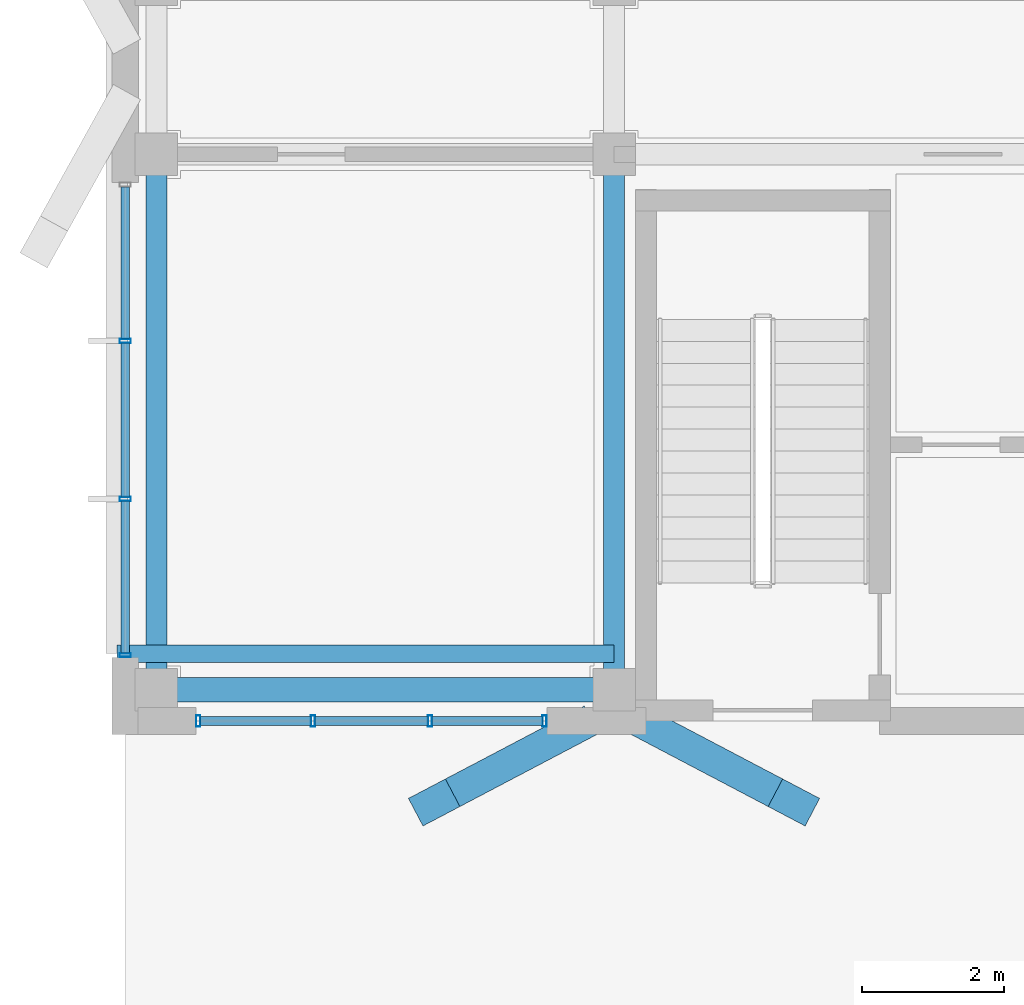
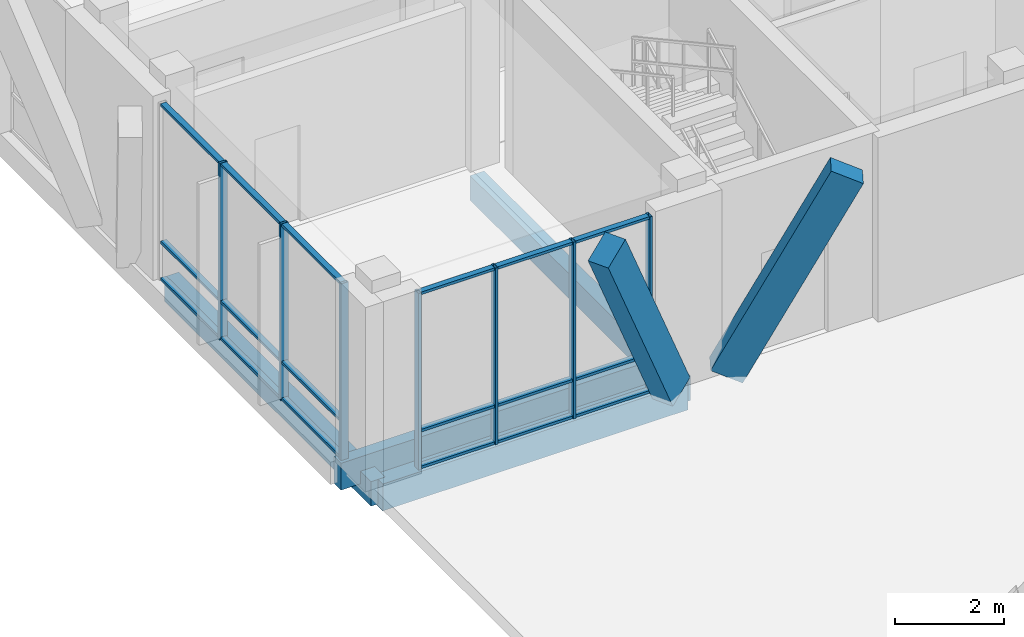
# One storey, part 95 of 233: 27 members, 4 beams, 2 elements without a shape of their own.
"""IFC4 building model written with IfcOpenShell, lengths in metres."""

import ifcopenshell
import ifcopenshell.guid

model = None  # the IFC model being written
_history = None  # IfcOwnerHistory: only IFC2X3 demands one
_inside = {}  # id of a spatial element -> (the spatial element, [elements in it])
_under = {}  # id of a project, library or spatial element -> (it, [spatial elements below it])
_declared = {}  # id of a project -> (the project, [libraries it declares])
_typed = {}  # id of a type object -> (the type object, [elements of that type])
_made_of = {}  # id of a material, layer set ... -> (it, [elements and type objects made of it])


def new_model(schema):
    """Start an empty IFC model of exactly this schema.

    Asked for "IFC4X3", IfcOpenShell would pick the latest addendum, in which some entities
    have other attributes; the version numbers below select the first issue.
    IFC2X3 requires an IfcOwnerHistory on every rooted entity: one is made here for all.
    """
    global model, _history
    if schema == "IFC4X3":
        model = ifcopenshell.file(schema_version=(4, 3, 0, 0))
    else:
        model = ifcopenshell.file(schema=schema)
    _inside.clear()
    _under.clear()
    _declared.clear()
    _typed.clear()
    _made_of.clear()
    _history = None
    if model.schema == "IFC2X3":
        org = make("IfcOrganization", Name="unknown")
        user = make(
            "IfcPersonAndOrganization",
            ThePerson=make("IfcPerson", FamilyName="unknown"),
            TheOrganization=org,
        )
        app = make(
            "IfcApplication",
            ApplicationDeveloper=org,
            Version="unknown",
            ApplicationFullName="unknown",
            ApplicationIdentifier="unknown",
        )
        _history = make(
            "IfcOwnerHistory",
            OwningUser=user,
            OwningApplication=app,
            ChangeAction="ADDED",
            CreationDate=0,
        )
    return model


def make(cls, **values):
    """One entity of the class cls with the attributes given. An attribute that is None is left unset."""
    return model.create_entity(
        cls, **{name: value for name, value in values.items() if value is not None}
    )


def rooted(cls, **values):
    """An entity with a GlobalId (a new one), such as an element, a storey or a relation."""
    return make(cls, GlobalId=ifcopenshell.guid.new(), OwnerHistory=_history, **values)


def si_unit(unit_type, name, prefix=None):
    """IfcSIUnit, for example si_unit("LENGTHUNIT", "METRE", prefix="MILLI")."""
    return make("IfcSIUnit", UnitType=unit_type, Prefix=prefix, Name=name)


def assignment(units):
    """IfcUnitAssignment: the units of a project."""
    return None if units is None else make("IfcUnitAssignment", Units=units)


def point(xyz):
    """IfcCartesianPoint."""
    return None if xyz is None else make("IfcCartesianPoint", Coordinates=xyz)


def direction(xyz):
    """IfcDirection."""
    return None if xyz is None else make("IfcDirection", DirectionRatios=xyz)


def frame(location, z_axis=None, x_axis=None):
    """IfcAxis2Placement3D, a coordinate frame: its origin and axes. An axis left out is left unset."""
    return make(
        "IfcAxis2Placement3D",
        Location=point(location),
        Axis=direction(z_axis),
        RefDirection=direction(x_axis),
    )


def frame_2d(location, x_axis=None):
    """IfcAxis2Placement2D, a coordinate frame in the plane: its origin and x axis."""
    return make(
        "IfcAxis2Placement2D", Location=point(location), RefDirection=direction(x_axis)
    )


def origin():
    """The frame at (0, 0, 0) with its axes left unset."""
    return frame((0.0, 0.0, 0.0))


def origin_2d():
    """The frame at (0, 0) in the plane with its x axis left unset."""
    return frame_2d((0.0, 0.0))


def place(relative_to, where):
    """IfcLocalPlacement: puts the frame where relative to a parent placement (None: the world)."""
    return make(
        "IfcLocalPlacement", PlacementRelTo=relative_to, RelativePlacement=where
    )


def context(
    kind, dimensions, precision=None, world=None, true_north=None, identifier=None
):
    """IfcGeometricRepresentationContext, for example the 3D "Model" context."""
    return make(
        "IfcGeometricRepresentationContext",
        ContextIdentifier=identifier,
        ContextType=kind,
        CoordinateSpaceDimension=dimensions,
        Precision=precision,
        WorldCoordinateSystem=world,
        TrueNorth=true_north,
    )


def subcontext(parent, identifier, kind, view, scale=None):
    """IfcGeometricRepresentationSubContext, for example "Body" below "Model"."""
    return make(
        "IfcGeometricRepresentationSubContext",
        ContextIdentifier=identifier,
        ContextType=kind,
        ParentContext=parent,
        TargetScale=scale,
        TargetView=view,
    )


def project(units=None, contexts=None):
    """IfcProject with its units and contexts."""
    return rooted(
        "IfcProject",
        Name="project",
        RepresentationContexts=contexts,
        UnitsInContext=assignment(units),
    )


def spatial(cls, under=None, at=None, **own):
    """A site, building, storey or space (cls), placed at a placement, below another one or the project."""
    s = rooted(cls, ObjectPlacement=at, **own)
    if under is not None:
        _under.setdefault(under.id(), (under, []))[1].append(s)
    return s


def profile(cls, at=None, kind="AREA", **sizes):
    """A parametric profile (cls). Its sizes go by their IFC names, for example OverallWidth=200.0."""
    return make(cls, ProfileType=kind, Position=at, **sizes)


def rectangle(**sizes):
    """IfcRectangleProfileDef."""
    return profile("IfcRectangleProfileDef", **sizes)


def hollow_rectangle(**sizes):
    """IfcRectangleHollowProfileDef."""
    return profile("IfcRectangleHollowProfileDef", **sizes)


def extrude(swept, where, along, depth):
    """IfcExtrudedAreaSolid: the profile swept, set in the frame where, extruded along a direction by depth."""
    return make(
        "IfcExtrudedAreaSolid",
        SweptArea=swept,
        Position=where,
        ExtrudedDirection=direction(along),
        Depth=depth,
    )


def shape(context_of_items, identifier, shape_type, items):
    """IfcShapeRepresentation: the items that make up one representation, for example the "Body"."""
    return make(
        "IfcShapeRepresentation",
        ContextOfItems=context_of_items,
        RepresentationIdentifier=identifier,
        RepresentationType=shape_type,
        Items=items,
    )


def material(Name=None, Category=None):
    """IfcMaterial."""
    return make("IfcMaterial", Name=Name, Category=Category)


def material_profile(
    of_material, cross_section, Name=None, Category=None, Priority=None
):
    """IfcMaterialProfile: a cross section and its material."""
    return make(
        "IfcMaterialProfile",
        Name=Name,
        Material=of_material,
        Profile=cross_section,
        Priority=Priority,
        Category=Category,
    )


def profile_set(profiles, Name=None, composite=None):
    """IfcMaterialProfileSet."""
    return make(
        "IfcMaterialProfileSet",
        Name=Name,
        MaterialProfiles=profiles,
        CompositeProfile=composite,
    )


def made_of(thing, what):
    """Note that an element or type object is made of a material, layer set ...; save() writes the relation."""
    if what is not None:
        _made_of.setdefault(what.id(), (what, []))[1].append(thing)
    return thing


def type_object(cls, material=None, **own):
    """A type object (cls), such as IfcWallType, which elements share."""
    return made_of(rooted(cls, **own), material)


def element(
    cls,
    number,
    at=None,
    inside=None,
    cuts=None,
    type_object=None,
    material=None,
    context=None,
    identifier="Body",
    shape_type=None,
    held_by="IfcProductDefinitionShape",
    body=None,
    shapes=None,
    **own,
):
    """One element of the class cls, such as IfcWall. Its Tag is "e" and its number.

    at: its placement. inside: the storey or other place that contains it. cuts: it is an
    opening in that element (IfcRelVoidsElement). A single representation is given by context,
    identifier, shape_type and body (its items); several are given by shapes. held_by: the class
    of the entity that holds the representations. save() writes the other relations.
    """
    e = rooted(cls, Tag="e%d" % number, ObjectPlacement=at, **own)
    if body is not None:
        shapes = [shape(context, identifier, shape_type, body)]
    if shapes is not None:
        e.Representation = make(held_by, Representations=shapes)
    if inside is not None:
        _inside.setdefault(inside.id(), (inside, []))[1].append(e)
    if cuts is not None:
        rooted(
            "IfcRelVoidsElement", RelatingBuildingElement=cuts, RelatedOpeningElement=e
        )
    if type_object is not None:
        _typed.setdefault(type_object.id(), (type_object, []))[1].append(e)
    return made_of(e, material)


def aggregate(whole, parts):
    """IfcRelAggregates: a whole, such as a stair, and the parts it consists of."""
    return rooted("IfcRelAggregates", RelatingObject=whole, RelatedObjects=parts)


def save(model, path):
    """Write the relations noted so far, then the file.

    IfcRelAggregates (storeys below a building ...), IfcRelContainedInSpatialStructure (elements
    in a storey), IfcRelDefinesByType, IfcRelAssociatesMaterial and IfcRelDeclares: one each for
    every whole, place, type object, material and project.
    """
    for whole, parts in _under.values():
        aggregate(whole, parts)
    for where, things in _inside.values():
        rooted(
            "IfcRelContainedInSpatialStructure",
            RelatedElements=things,
            RelatingStructure=where,
        )
    for kind, things in _typed.values():
        rooted("IfcRelDefinesByType", RelatedObjects=things, RelatingType=kind)
    for what, things in _made_of.values():
        rooted("IfcRelAssociatesMaterial", RelatedObjects=things, RelatingMaterial=what)
    for by, libraries in _declared.values():
        rooted("IfcRelDeclares", RelatingContext=by, RelatedDefinitions=libraries)
    model.write(path)


model = new_model("IFC4")

# Units and contexts
model_context = context("Model", 3, precision=1e-05, world=origin(), true_north=direction((0.0, 1.0)))
body_context = subcontext(model_context, "Body", "Model", "MODEL_VIEW")
ifc_project = project(units=[si_unit("LENGTHUNIT", "METRE"), si_unit("AREAUNIT", "SQUARE_METRE"), si_unit("VOLUMEUNIT", "CUBIC_METRE"), si_unit("PLANEANGLEUNIT", "RADIAN"), si_unit("MASSUNIT", "GRAM", prefix="KILO")], contexts=[model_context])

# Site, building, storey
site_placement = place(None, origin())
site = spatial("IfcSite", under=ifc_project, at=site_placement, CompositionType="ELEMENT")
building_placement = place(site_placement, origin())
building = spatial("IfcBuilding", under=site, at=building_placement, Name="Zavelmont Quarter", CompositionType="ELEMENT")
storey_placement = place(building_placement, origin())
storey = spatial("IfcBuildingStorey", under=building, at=storey_placement, Name="L00", CompositionType="ELEMENT", Elevation=0.0)

# Beams
ifc_material_1 = material(Name="Concrete C35/45", Category="concrete")
ifc_material_profile_1 = material_profile(ifc_material_1, rectangle(XDim=0.35009765625, YDim=0.60009765625, at=origin_2d()), Name="RC350X600")
ifc_profile_set_1 = profile_set([ifc_material_profile_1], Name="Concrete C35/45")
beam_type_1 = type_object("IfcBeamType", Name="BM01", PredefinedType="SPANDREL", material=ifc_profile_set_1)
beam_1_placement = place(storey_placement, frame((0.43994140625, 98.0400390625, -0.6201171875), z_axis=(1.0, 0.0, 0.0), x_axis=(0.0, 1.0, 0.0)))
element("IfcBeam", 1, at=beam_1_placement, inside=storey, type_object=beam_type_1, Name="L00 beam BM01 1/P to 2/P", PredefinedType="SPANDREL", context=body_context, shape_type="SweptSolid", body=[
    extrude(rectangle(XDim=0.35009765625, YDim=0.60009765625, at=origin_2d()), origin(), (0.0, 0.0, 1.0), 6.4599609375),
])
ifc_material_profile_2 = material_profile(ifc_material_1, rectangle(XDim=0.300048828125, YDim=0.550048828125, at=origin_2d()), Name="RC300X550")
ifc_profile_set_2 = profile_set([ifc_material_profile_2], Name="Concrete C35/45")
beam_type_2 = type_object("IfcBeamType", Name="BM02", PredefinedType="SPANDREL", material=ifc_profile_set_2)
for number, where, z_axis, x_axis, name in (
    (2, (0.43994140625, 98.0400390625, -0.594970703125), (0.0, 1.0, 0.0), (-1.0, 0.0, 0.0), "L00 beam BM02 1/P to 1/Q"),
    (3, (6.89990234375, 98.0400390625, -0.594970703125), (0.0, 1.0, 0.0), (-1.0, 0.0, 0.0), "L00 beam BM02 2/P to 2/Q"),
):
    element("IfcBeam", number, at=place(storey_placement, frame(where, z_axis=z_axis, x_axis=x_axis)), inside=storey, type_object=beam_type_2, Name=name, PredefinedType="SPANDREL", context=body_context, shape_type="SweptSolid", body=[
        extrude(rectangle(XDim=0.300048828125, YDim=0.550048828125, at=origin_2d()), origin(), (0.0, 0.0, 1.0), 7.56005859375),
    ])
ifc_material_2 = material(Name="Concrete C40/50", Category="concrete")
ifc_material_profile_3 = material_profile(ifc_material_2, rectangle(XDim=0.25, YDim=0.60009765625, at=origin_2d()), Name="RC250X600")
ifc_profile_set_3 = profile_set([ifc_material_profile_3], Name="Concrete C40/50")
beam_type_3 = type_object("IfcBeamType", Name="BM18", PredefinedType="BEAM", material=ifc_profile_set_3)
beam_2_placement = place(storey_placement, frame((6.89990234375, 98.550048828125, -0.300048828125), z_axis=(-1.0, 0.0, 0.0), x_axis=(0.0, -1.0, 0.0)))
element("IfcBeam", 4, at=beam_2_placement, inside=storey, type_object=beam_type_3, Name="L00 beam BM18 2/P to 1/P", PredefinedType="BEAM", context=body_context, shape_type="SweptSolid", body=[
    extrude(rectangle(XDim=0.25, YDim=0.60009765625, at=origin_2d()), origin(), (0.0, 0.0, 1.0), 7.02001953125),
])

# Curtain wall, members
ifc_material_3 = material(Name="Thermally broken aluminium and double low-E safety glazing", Category="aluminium")
curtain_wall_type_1 = type_object("IfcCurtainWallType", Name="CW-495X395", PredefinedType="NOTDEFINED", material=ifc_material_3)
curtain_wall_1_placement = place(storey_placement, origin())
curtain_wall_1 = element("IfcCurtainWall", 5, at=curtain_wall_1_placement, inside=storey, type_object=curtain_wall_type_1, Name="L00 unitised curtain wall CW-495X395", PredefinedType="NOTDEFINED")
ifc_material_4 = material(Name="Powder-coated aluminium EN AW-6063-T6", Category="aluminium")
ifc_material_profile_4 = material_profile(ifc_material_4, hollow_rectangle(XDim=0.06005859375, YDim=0.159912109375, WallThickness=0.00390625, at=origin_2d()), Name="CWM60X160")
ifc_profile_set_4 = profile_set([ifc_material_profile_4], Name="Powder-coated aluminium EN AW-6063-T6")
member_type_1 = type_object("IfcMemberType", Name="CWM01", PredefinedType="MULLION", material=ifc_profile_set_4)
member_1_placement = place(storey_placement, frame((1.030029296875, 97.60009765625, 0.0), z_axis=(0.0, 0.0, 1.0), x_axis=(1.0, 0.0, 0.0)))
member_1 = element("IfcMember", 6, at=member_1_placement, type_object=member_type_1, Name="CW-495X395 mullion 1", PredefinedType="MULLION", context=body_context, shape_type="SweptSolid", body=[
    extrude(hollow_rectangle(XDim=0.06005859375, YDim=0.159912109375, WallThickness=0.00390625, at=origin_2d()), origin(), (0.0, 0.0, 1.0), 3.949951171875),
])
member_2_placement = place(storey_placement, frame((2.64990234375, 97.60009765625, 0.0), z_axis=(0.0, 0.0, 1.0), x_axis=(1.0, 0.0, 0.0)))
member_2 = element("IfcMember", 7, at=member_2_placement, type_object=member_type_1, Name="CW-495X395 mullion 2", PredefinedType="MULLION", context=body_context, shape_type="SweptSolid", body=[
    extrude(hollow_rectangle(XDim=0.06005859375, YDim=0.159912109375, WallThickness=0.00390625, at=origin_2d()), origin(), (0.0, 0.0, 1.0), 3.949951171875),
])
member_3_placement = place(storey_placement, frame((4.300048828125, 97.60009765625, 0.0), z_axis=(0.0, 0.0, 1.0), x_axis=(1.0, 0.0, 0.0)))
member_3 = element("IfcMember", 8, at=member_3_placement, type_object=member_type_1, Name="CW-495X395 mullion 3", PredefinedType="MULLION", context=body_context, shape_type="SweptSolid", body=[
    extrude(hollow_rectangle(XDim=0.06005859375, YDim=0.159912109375, WallThickness=0.00390625, at=origin_2d()), origin(), (0.0, 0.0, 1.0), 3.949951171875),
])
member_4_placement = place(storey_placement, frame((5.919921875, 97.60009765625, 0.0), z_axis=(0.0, 0.0, 1.0), x_axis=(1.0, 0.0, 0.0)))
member_4 = element("IfcMember", 9, at=member_4_placement, type_object=member_type_1, Name="CW-495X395 mullion 4", PredefinedType="MULLION", context=body_context, shape_type="SweptSolid", body=[
    extrude(hollow_rectangle(XDim=0.06005859375, YDim=0.159912109375, WallThickness=0.00390625, at=origin_2d()), origin(), (0.0, 0.0, 1.0), 3.949951171875),
])

curtain_wall_type_2 = type_object("IfcCurtainWallType", Name="CW-670X395", PredefinedType="NOTDEFINED", material=ifc_material_3)
curtain_wall_2_placement = place(storey_placement, origin())
curtain_wall_2 = element("IfcCurtainWall", 10, at=curtain_wall_2_placement, inside=storey, type_object=curtain_wall_type_2, Name="L00 unitised curtain wall CW-670X395", PredefinedType="NOTDEFINED")
member_5_placement = place(storey_placement, frame((0.0, 98.530029296875, 0.0), z_axis=(0.0, 0.0, 1.0), x_axis=(0.0, 1.0, 0.0)))
member_5 = element("IfcMember", 11, at=member_5_placement, type_object=member_type_1, Name="CW-670X395 mullion 1", PredefinedType="MULLION", context=body_context, shape_type="SweptSolid", body=[
    extrude(hollow_rectangle(XDim=0.06005859375, YDim=0.159912109375, WallThickness=0.00390625, at=origin_2d()), origin(), (0.0, 0.0, 1.0), 3.949951171875),
])
member_6_placement = place(storey_placement, frame((0.0, 100.7333984375, 0.0), z_axis=(0.0, 0.0, 1.0), x_axis=(0.0, 1.0, 0.0)))
member_6 = element("IfcMember", 12, at=member_6_placement, type_object=member_type_1, Name="CW-670X395 mullion 2", PredefinedType="MULLION", context=body_context, shape_type="SweptSolid", body=[
    extrude(hollow_rectangle(XDim=0.06005859375, YDim=0.159912109375, WallThickness=0.00390625, at=origin_2d()), origin(), (0.0, 0.0, 1.0), 3.949951171875),
])
member_7_placement = place(storey_placement, frame((0.0, 102.966552734375, 0.0), z_axis=(0.0, 0.0, 1.0), x_axis=(0.0, 1.0, 0.0)))
member_7 = element("IfcMember", 13, at=member_7_placement, type_object=member_type_1, Name="CW-670X395 mullion 3", PredefinedType="MULLION", context=body_context, shape_type="SweptSolid", body=[
    extrude(hollow_rectangle(XDim=0.06005859375, YDim=0.159912109375, WallThickness=0.00390625, at=origin_2d()), origin(), (0.0, 0.0, 1.0), 3.949951171875),
])

# Member
ifc_material_profile_5 = material_profile(ifc_material_4, hollow_rectangle(XDim=0.1201171875, YDim=0.06005859375, WallThickness=0.00390625, at=origin_2d()), Name="CWT60X120")
ifc_profile_set_5 = profile_set([ifc_material_profile_5], Name="Powder-coated aluminium EN AW-6063-T6")
member_type_2 = type_object("IfcMemberType", Name="CWT01", PredefinedType="NOTDEFINED", material=ifc_profile_set_5)
member_8_placement = place(storey_placement, frame((1.06005859375, 97.60009765625, 0.030029296875), z_axis=(1.0, 0.0, 0.0), x_axis=(0.0, 1.0, 0.0)))
member_8 = element("IfcMember", 14, at=member_8_placement, type_object=member_type_2, Name="CW-495X395 transom 1.1", ObjectType="TRANSOM", PredefinedType="USERDEFINED", context=body_context, shape_type="SweptSolid", body=[
    extrude(hollow_rectangle(XDim=0.1201171875, YDim=0.06005859375, WallThickness=0.00390625, at=origin_2d()), origin(), (0.0, 0.0, 1.0), 1.56005859375),
])

member_9_placement = place(storey_placement, frame((1.06005859375, 97.60009765625, 0.85009765625), z_axis=(1.0, 0.0, 0.0), x_axis=(0.0, 1.0, 0.0)))
member_9 = element("IfcMember", 15, at=member_9_placement, type_object=member_type_2, Name="CW-495X395 transom 1.2", ObjectType="TRANSOM", PredefinedType="USERDEFINED", context=body_context, shape_type="SweptSolid", body=[
    extrude(hollow_rectangle(XDim=0.1201171875, YDim=0.06005859375, WallThickness=0.00390625, at=origin_2d()), origin(), (0.0, 0.0, 1.0), 1.56005859375),
])

member_10_placement = place(storey_placement, frame((1.06005859375, 97.60009765625, 3.919921875), z_axis=(1.0, 0.0, 0.0), x_axis=(0.0, 1.0, 0.0)))
member_10 = element("IfcMember", 16, at=member_10_placement, type_object=member_type_2, Name="CW-495X395 transom 1.3", ObjectType="TRANSOM", PredefinedType="USERDEFINED", context=body_context, shape_type="SweptSolid", body=[
    extrude(hollow_rectangle(XDim=0.1201171875, YDim=0.06005859375, WallThickness=0.00390625, at=origin_2d()), origin(), (0.0, 0.0, 1.0), 1.56005859375),
])

member_11_placement = place(storey_placement, frame((2.679931640625, 97.60009765625, 0.030029296875), z_axis=(1.0, 0.0, 0.0), x_axis=(0.0, 1.0, 0.0)))
member_11 = element("IfcMember", 17, at=member_11_placement, type_object=member_type_2, Name="CW-495X395 transom 2.1", ObjectType="TRANSOM", PredefinedType="USERDEFINED", context=body_context, shape_type="SweptSolid", body=[
    extrude(hollow_rectangle(XDim=0.1201171875, YDim=0.06005859375, WallThickness=0.00390625, at=origin_2d()), origin(), (0.0, 0.0, 1.0), 1.590087890625),
])

member_12_placement = place(storey_placement, frame((2.679931640625, 97.60009765625, 0.85009765625), z_axis=(1.0, 0.0, 0.0), x_axis=(0.0, 1.0, 0.0)))
member_12 = element("IfcMember", 18, at=member_12_placement, type_object=member_type_2, Name="CW-495X395 transom 2.2", ObjectType="TRANSOM", PredefinedType="USERDEFINED", context=body_context, shape_type="SweptSolid", body=[
    extrude(hollow_rectangle(XDim=0.1201171875, YDim=0.06005859375, WallThickness=0.00390625, at=origin_2d()), origin(), (0.0, 0.0, 1.0), 1.590087890625),
])

member_13_placement = place(storey_placement, frame((2.679931640625, 97.60009765625, 3.919921875), z_axis=(1.0, 0.0, 0.0), x_axis=(0.0, 1.0, 0.0)))
member_13 = element("IfcMember", 19, at=member_13_placement, type_object=member_type_2, Name="CW-495X395 transom 2.3", ObjectType="TRANSOM", PredefinedType="USERDEFINED", context=body_context, shape_type="SweptSolid", body=[
    extrude(hollow_rectangle(XDim=0.1201171875, YDim=0.06005859375, WallThickness=0.00390625, at=origin_2d()), origin(), (0.0, 0.0, 1.0), 1.590087890625),
])

member_14_placement = place(storey_placement, frame((4.330078125, 97.60009765625, 0.030029296875), z_axis=(1.0, 0.0, 0.0), x_axis=(0.0, 1.0, 0.0)))
member_14 = element("IfcMember", 20, at=member_14_placement, type_object=member_type_2, Name="CW-495X395 transom 3.1", ObjectType="TRANSOM", PredefinedType="USERDEFINED", context=body_context, shape_type="SweptSolid", body=[
    extrude(hollow_rectangle(XDim=0.1201171875, YDim=0.06005859375, WallThickness=0.00390625, at=origin_2d()), origin(), (0.0, 0.0, 1.0), 1.559814453125),
])

member_15_placement = place(storey_placement, frame((4.330078125, 97.60009765625, 0.85009765625), z_axis=(1.0, 0.0, 0.0), x_axis=(0.0, 1.0, 0.0)))
member_15 = element("IfcMember", 21, at=member_15_placement, type_object=member_type_2, Name="CW-495X395 transom 3.2", ObjectType="TRANSOM", PredefinedType="USERDEFINED", context=body_context, shape_type="SweptSolid", body=[
    extrude(hollow_rectangle(XDim=0.1201171875, YDim=0.06005859375, WallThickness=0.00390625, at=origin_2d()), origin(), (0.0, 0.0, 1.0), 1.559814453125),
])

member_16_placement = place(storey_placement, frame((4.330078125, 97.60009765625, 3.919921875), z_axis=(1.0, 0.0, 0.0), x_axis=(0.0, 1.0, 0.0)))
member_16 = element("IfcMember", 22, at=member_16_placement, type_object=member_type_2, Name="CW-495X395 transom 3.3", ObjectType="TRANSOM", PredefinedType="USERDEFINED", context=body_context, shape_type="SweptSolid", body=[
    extrude(hollow_rectangle(XDim=0.1201171875, YDim=0.06005859375, WallThickness=0.00390625, at=origin_2d()), origin(), (0.0, 0.0, 1.0), 1.559814453125),
])

aggregate(curtain_wall_1, [member_1, member_2, member_3, member_4, member_8, member_9, member_10, member_11, member_12, member_13, member_14, member_15, member_16])

member_17_placement = place(storey_placement, frame((0.0, 98.56005859375, 0.030029296875), z_axis=(0.0, 1.0, 0.0), x_axis=(-1.0, 0.0, 0.0)))
member_17 = element("IfcMember", 23, at=member_17_placement, type_object=member_type_2, Name="CW-670X395 transom 1.1", ObjectType="TRANSOM", PredefinedType="USERDEFINED", context=body_context, shape_type="SweptSolid", body=[
    extrude(hollow_rectangle(XDim=0.1201171875, YDim=0.06005859375, WallThickness=0.00390625, at=origin_2d()), origin(), (0.0, 0.0, 1.0), 2.143310546875),
])

member_18_placement = place(storey_placement, frame((0.0, 98.56005859375, 0.85009765625), z_axis=(0.0, 1.0, 0.0), x_axis=(-1.0, 0.0, 0.0)))
member_18 = element("IfcMember", 24, at=member_18_placement, type_object=member_type_2, Name="CW-670X395 transom 1.2", ObjectType="TRANSOM", PredefinedType="USERDEFINED", context=body_context, shape_type="SweptSolid", body=[
    extrude(hollow_rectangle(XDim=0.1201171875, YDim=0.06005859375, WallThickness=0.00390625, at=origin_2d()), origin(), (0.0, 0.0, 1.0), 2.143310546875),
])

member_19_placement = place(storey_placement, frame((0.0, 98.56005859375, 3.919921875), z_axis=(0.0, 1.0, 0.0), x_axis=(-1.0, 0.0, 0.0)))
member_19 = element("IfcMember", 25, at=member_19_placement, type_object=member_type_2, Name="CW-670X395 transom 1.3", ObjectType="TRANSOM", PredefinedType="USERDEFINED", context=body_context, shape_type="SweptSolid", body=[
    extrude(hollow_rectangle(XDim=0.1201171875, YDim=0.06005859375, WallThickness=0.00390625, at=origin_2d()), origin(), (0.0, 0.0, 1.0), 2.143310546875),
])

member_20_placement = place(storey_placement, frame((0.0, 100.763427734375, 0.030029296875), z_axis=(0.0, 1.0, 0.0), x_axis=(-1.0, 0.0, 0.0)))
member_20 = element("IfcMember", 26, at=member_20_placement, type_object=member_type_2, Name="CW-670X395 transom 2.1", ObjectType="TRANSOM", PredefinedType="USERDEFINED", context=body_context, shape_type="SweptSolid", body=[
    extrude(hollow_rectangle(XDim=0.1201171875, YDim=0.06005859375, WallThickness=0.00390625, at=origin_2d()), origin(), (0.0, 0.0, 1.0), 2.17333984375),
])

member_21_placement = place(storey_placement, frame((0.0, 100.763427734375, 0.85009765625), z_axis=(0.0, 1.0, 0.0), x_axis=(-1.0, 0.0, 0.0)))
member_21 = element("IfcMember", 27, at=member_21_placement, type_object=member_type_2, Name="CW-670X395 transom 2.2", ObjectType="TRANSOM", PredefinedType="USERDEFINED", context=body_context, shape_type="SweptSolid", body=[
    extrude(hollow_rectangle(XDim=0.1201171875, YDim=0.06005859375, WallThickness=0.00390625, at=origin_2d()), origin(), (0.0, 0.0, 1.0), 2.17333984375),
])

member_22_placement = place(storey_placement, frame((0.0, 100.763427734375, 3.919921875), z_axis=(0.0, 1.0, 0.0), x_axis=(-1.0, 0.0, 0.0)))
member_22 = element("IfcMember", 28, at=member_22_placement, type_object=member_type_2, Name="CW-670X395 transom 2.3", ObjectType="TRANSOM", PredefinedType="USERDEFINED", context=body_context, shape_type="SweptSolid", body=[
    extrude(hollow_rectangle(XDim=0.1201171875, YDim=0.06005859375, WallThickness=0.00390625, at=origin_2d()), origin(), (0.0, 0.0, 1.0), 2.17333984375),
])

member_23_placement = place(storey_placement, frame((0.0, 102.99658203125, 0.030029296875), z_axis=(0.0, 1.0, 0.0), x_axis=(-1.0, 0.0, 0.0)))
member_23 = element("IfcMember", 29, at=member_23_placement, type_object=member_type_2, Name="CW-670X395 transom 3.1", ObjectType="TRANSOM", PredefinedType="USERDEFINED", context=body_context, shape_type="SweptSolid", body=[
    extrude(hollow_rectangle(XDim=0.1201171875, YDim=0.06005859375, WallThickness=0.00390625, at=origin_2d()), origin(), (0.0, 0.0, 1.0), 2.143310546875),
])

member_24_placement = place(storey_placement, frame((0.0, 102.99658203125, 0.85009765625), z_axis=(0.0, 1.0, 0.0), x_axis=(-1.0, 0.0, 0.0)))
member_24 = element("IfcMember", 30, at=member_24_placement, type_object=member_type_2, Name="CW-670X395 transom 3.2", ObjectType="TRANSOM", PredefinedType="USERDEFINED", context=body_context, shape_type="SweptSolid", body=[
    extrude(hollow_rectangle(XDim=0.1201171875, YDim=0.06005859375, WallThickness=0.00390625, at=origin_2d()), origin(), (0.0, 0.0, 1.0), 2.143310546875),
])

member_25_placement = place(storey_placement, frame((0.0, 102.99658203125, 3.919921875), z_axis=(0.0, 1.0, 0.0), x_axis=(-1.0, 0.0, 0.0)))
member_25 = element("IfcMember", 31, at=member_25_placement, type_object=member_type_2, Name="CW-670X395 transom 3.3", ObjectType="TRANSOM", PredefinedType="USERDEFINED", context=body_context, shape_type="SweptSolid", body=[
    extrude(hollow_rectangle(XDim=0.1201171875, YDim=0.06005859375, WallThickness=0.00390625, at=origin_2d()), origin(), (0.0, 0.0, 1.0), 2.143310546875),
])

aggregate(curtain_wall_2, [member_5, member_6, member_7, member_17, member_18, member_19, member_20, member_21, member_22, member_23, member_24, member_25])

# Members
ifc_material_5 = material(Name="White architectural precast concrete C40/50", Category="concrete")
ifc_material_profile_6 = material_profile(ifc_material_5, rectangle(XDim=0.43994140625, YDim=0.659912109375, at=origin_2d()), Name="PCR320X480")
ifc_profile_set_6 = profile_set([ifc_material_profile_6], Name="White architectural precast concrete C40/50")
member_type_3 = type_object("IfcMemberType", Name="VR01M", PredefinedType="CHORD", material=ifc_profile_set_6)
for number, where, z_axis, x_axis, name in (
    (32, (6.320068359375, 97.47998046875, 0.0), (-0.397787868257, -0.209129846252, 0.893324979654), (0.465341803396, -0.885131067138, 0.0), "L00 member VR01M 2/P to 2/P"),
    (33, (7.47998046875, 97.47998046875, 0.0), (0.397787868257, -0.209129846252, 0.893324979654), (0.465341803396, 0.885131067138, 0.0), "L00 member VR01M 2/P to 2/P"),
):
    element("IfcMember", number, at=place(storey_placement, frame(where, z_axis=z_axis, x_axis=x_axis)), inside=storey, type_object=member_type_3, Name=name, PredefinedType="CHORD", context=body_context, shape_type="SweptSolid", body=[
        extrude(rectangle(XDim=0.43994140625, YDim=0.659912109375, at=origin_2d()), origin(), (0.0, 0.0, 1.0), 4.92529296875),
    ])

save(model, "model.ifc")
